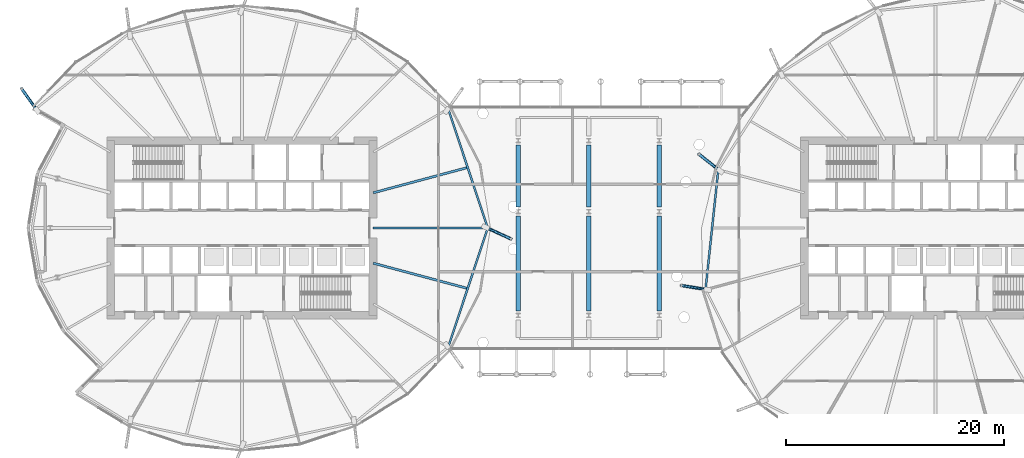
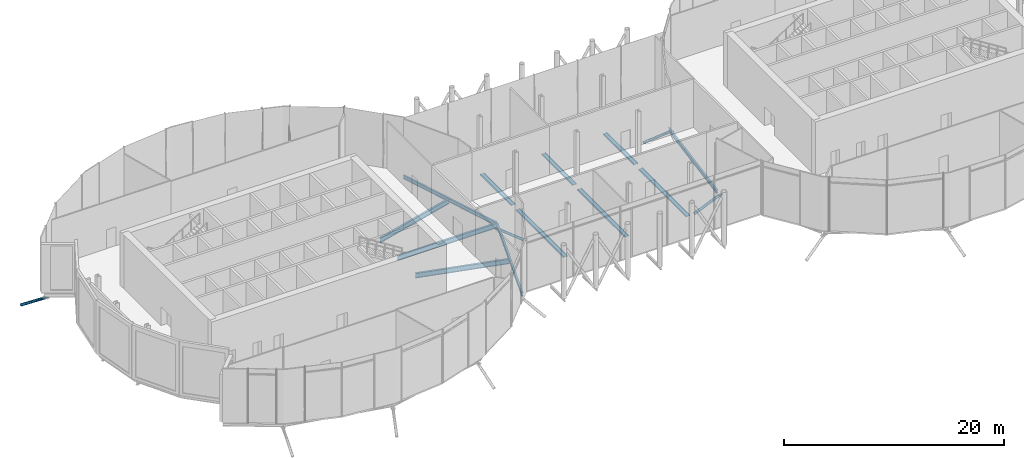
# One storey, part 6 of 38: 12 beams, 4 members.
"""IFC4 building model written with IfcOpenShell, lengths in metres."""

import ifcopenshell
import ifcopenshell.guid

model = None  # the IFC model being written
_history = None  # IfcOwnerHistory: only IFC2X3 demands one
_inside = {}  # id of a spatial element -> (the spatial element, [elements in it])
_under = {}  # id of a project, library or spatial element -> (it, [spatial elements below it])
_declared = {}  # id of a project -> (the project, [libraries it declares])
_typed = {}  # id of a type object -> (the type object, [elements of that type])
_made_of = {}  # id of a material, layer set ... -> (it, [elements and type objects made of it])


def new_model(schema):
    """Start an empty IFC model of exactly this schema.

    Asked for "IFC4X3", IfcOpenShell would pick the latest addendum, in which some entities
    have other attributes; the version numbers below select the first issue.
    IFC2X3 requires an IfcOwnerHistory on every rooted entity: one is made here for all.
    """
    global model, _history
    if schema == "IFC4X3":
        model = ifcopenshell.file(schema_version=(4, 3, 0, 0))
    else:
        model = ifcopenshell.file(schema=schema)
    _inside.clear()
    _under.clear()
    _declared.clear()
    _typed.clear()
    _made_of.clear()
    _history = None
    if model.schema == "IFC2X3":
        org = make("IfcOrganization", Name="unknown")
        user = make(
            "IfcPersonAndOrganization",
            ThePerson=make("IfcPerson", FamilyName="unknown"),
            TheOrganization=org,
        )
        app = make(
            "IfcApplication",
            ApplicationDeveloper=org,
            Version="unknown",
            ApplicationFullName="unknown",
            ApplicationIdentifier="unknown",
        )
        _history = make(
            "IfcOwnerHistory",
            OwningUser=user,
            OwningApplication=app,
            ChangeAction="ADDED",
            CreationDate=0,
        )
    return model


def make(cls, **values):
    """One entity of the class cls with the attributes given. An attribute that is None is left unset."""
    return model.create_entity(
        cls, **{name: value for name, value in values.items() if value is not None}
    )


def rooted(cls, **values):
    """An entity with a GlobalId (a new one), such as an element, a storey or a relation."""
    return make(cls, GlobalId=ifcopenshell.guid.new(), OwnerHistory=_history, **values)


def si_unit(unit_type, name, prefix=None):
    """IfcSIUnit, for example si_unit("LENGTHUNIT", "METRE", prefix="MILLI")."""
    return make("IfcSIUnit", UnitType=unit_type, Prefix=prefix, Name=name)


def assignment(units):
    """IfcUnitAssignment: the units of a project."""
    return None if units is None else make("IfcUnitAssignment", Units=units)


def point(xyz):
    """IfcCartesianPoint."""
    return None if xyz is None else make("IfcCartesianPoint", Coordinates=xyz)


def direction(xyz):
    """IfcDirection."""
    return None if xyz is None else make("IfcDirection", DirectionRatios=xyz)


def frame(location, z_axis=None, x_axis=None):
    """IfcAxis2Placement3D, a coordinate frame: its origin and axes. An axis left out is left unset."""
    return make(
        "IfcAxis2Placement3D",
        Location=point(location),
        Axis=direction(z_axis),
        RefDirection=direction(x_axis),
    )


def frame_2d(location, x_axis=None):
    """IfcAxis2Placement2D, a coordinate frame in the plane: its origin and x axis."""
    return make(
        "IfcAxis2Placement2D", Location=point(location), RefDirection=direction(x_axis)
    )


def origin():
    """The frame at (0, 0, 0) with its axes left unset."""
    return frame((0.0, 0.0, 0.0))


def origin_2d():
    """The frame at (0, 0) in the plane with its x axis left unset."""
    return frame_2d((0.0, 0.0))


def place(relative_to, where):
    """IfcLocalPlacement: puts the frame where relative to a parent placement (None: the world)."""
    return make(
        "IfcLocalPlacement", PlacementRelTo=relative_to, RelativePlacement=where
    )


def context(
    kind, dimensions, precision=None, world=None, true_north=None, identifier=None
):
    """IfcGeometricRepresentationContext, for example the 3D "Model" context."""
    return make(
        "IfcGeometricRepresentationContext",
        ContextIdentifier=identifier,
        ContextType=kind,
        CoordinateSpaceDimension=dimensions,
        Precision=precision,
        WorldCoordinateSystem=world,
        TrueNorth=true_north,
    )


def subcontext(parent, identifier, kind, view, scale=None):
    """IfcGeometricRepresentationSubContext, for example "Body" below "Model"."""
    return make(
        "IfcGeometricRepresentationSubContext",
        ContextIdentifier=identifier,
        ContextType=kind,
        ParentContext=parent,
        TargetScale=scale,
        TargetView=view,
    )


def project(units=None, contexts=None):
    """IfcProject with its units and contexts."""
    return rooted(
        "IfcProject",
        Name="project",
        RepresentationContexts=contexts,
        UnitsInContext=assignment(units),
    )


def spatial(cls, under=None, at=None, **own):
    """A site, building, storey or space (cls), placed at a placement, below another one or the project."""
    s = rooted(cls, ObjectPlacement=at, **own)
    if under is not None:
        _under.setdefault(under.id(), (under, []))[1].append(s)
    return s


def profile(cls, at=None, kind="AREA", **sizes):
    """A parametric profile (cls). Its sizes go by their IFC names, for example OverallWidth=200.0."""
    return make(cls, ProfileType=kind, Position=at, **sizes)


def hollow_circle(**sizes):
    """IfcCircleHollowProfileDef."""
    return profile("IfcCircleHollowProfileDef", **sizes)


def i_section(**sizes):
    """IfcIShapeProfileDef."""
    return profile("IfcIShapeProfileDef", **sizes)


def extrude(swept, where, along, depth):
    """IfcExtrudedAreaSolid: the profile swept, set in the frame where, extruded along a direction by depth."""
    return make(
        "IfcExtrudedAreaSolid",
        SweptArea=swept,
        Position=where,
        ExtrudedDirection=direction(along),
        Depth=depth,
    )


def clip(a, b, op="DIFFERENCE"):
    """IfcBooleanClippingResult: the solid a cut by the half space b."""
    return make(
        "IfcBooleanClippingResult", Operator=op, FirstOperand=a, SecondOperand=b
    )


def halfspace(plane, agree):
    """IfcHalfSpaceSolid: all space on one side of the plane z = 0 of the frame plane."""
    return make(
        "IfcHalfSpaceSolid",
        BaseSurface=make("IfcPlane", Position=plane),
        AgreementFlag=agree,
    )


def shape(context_of_items, identifier, shape_type, items):
    """IfcShapeRepresentation: the items that make up one representation, for example the "Body"."""
    return make(
        "IfcShapeRepresentation",
        ContextOfItems=context_of_items,
        RepresentationIdentifier=identifier,
        RepresentationType=shape_type,
        Items=items,
    )


def material(Name=None, Category=None):
    """IfcMaterial."""
    return make("IfcMaterial", Name=Name, Category=Category)


def material_profile(
    of_material, cross_section, Name=None, Category=None, Priority=None
):
    """IfcMaterialProfile: a cross section and its material."""
    return make(
        "IfcMaterialProfile",
        Name=Name,
        Material=of_material,
        Profile=cross_section,
        Priority=Priority,
        Category=Category,
    )


def profile_set(profiles, Name=None, composite=None):
    """IfcMaterialProfileSet."""
    return make(
        "IfcMaterialProfileSet",
        Name=Name,
        MaterialProfiles=profiles,
        CompositeProfile=composite,
    )


def made_of(thing, what):
    """Note that an element or type object is made of a material, layer set ...; save() writes the relation."""
    if what is not None:
        _made_of.setdefault(what.id(), (what, []))[1].append(thing)
    return thing


def type_object(cls, material=None, **own):
    """A type object (cls), such as IfcWallType, which elements share."""
    return made_of(rooted(cls, **own), material)


def element(
    cls,
    number,
    at=None,
    inside=None,
    cuts=None,
    type_object=None,
    material=None,
    context=None,
    identifier="Body",
    shape_type=None,
    held_by="IfcProductDefinitionShape",
    body=None,
    shapes=None,
    **own,
):
    """One element of the class cls, such as IfcWall. Its Tag is "e" and its number.

    at: its placement. inside: the storey or other place that contains it. cuts: it is an
    opening in that element (IfcRelVoidsElement). A single representation is given by context,
    identifier, shape_type and body (its items); several are given by shapes. held_by: the class
    of the entity that holds the representations. save() writes the other relations.
    """
    e = rooted(cls, Tag="e%d" % number, ObjectPlacement=at, **own)
    if body is not None:
        shapes = [shape(context, identifier, shape_type, body)]
    if shapes is not None:
        e.Representation = make(held_by, Representations=shapes)
    if inside is not None:
        _inside.setdefault(inside.id(), (inside, []))[1].append(e)
    if cuts is not None:
        rooted(
            "IfcRelVoidsElement", RelatingBuildingElement=cuts, RelatedOpeningElement=e
        )
    if type_object is not None:
        _typed.setdefault(type_object.id(), (type_object, []))[1].append(e)
    return made_of(e, material)


def aggregate(whole, parts):
    """IfcRelAggregates: a whole, such as a stair, and the parts it consists of."""
    return rooted("IfcRelAggregates", RelatingObject=whole, RelatedObjects=parts)


def save(model, path):
    """Write the relations noted so far, then the file.

    IfcRelAggregates (storeys below a building ...), IfcRelContainedInSpatialStructure (elements
    in a storey), IfcRelDefinesByType, IfcRelAssociatesMaterial and IfcRelDeclares: one each for
    every whole, place, type object, material and project.
    """
    for whole, parts in _under.values():
        aggregate(whole, parts)
    for where, things in _inside.values():
        rooted(
            "IfcRelContainedInSpatialStructure",
            RelatedElements=things,
            RelatingStructure=where,
        )
    for kind, things in _typed.values():
        rooted("IfcRelDefinesByType", RelatedObjects=things, RelatingType=kind)
    for what, things in _made_of.values():
        rooted("IfcRelAssociatesMaterial", RelatedObjects=things, RelatingMaterial=what)
    for by, libraries in _declared.values():
        rooted("IfcRelDeclares", RelatingContext=by, RelatedDefinitions=libraries)
    model.write(path)


model = new_model("IFC4")

# Units and contexts
model_context = context("Model", 3, precision=1e-05, world=origin(), true_north=direction((0.0, 1.0)))
body_context = subcontext(model_context, "Body", "Model", "MODEL_VIEW")
ifc_project = project(units=[si_unit("LENGTHUNIT", "METRE"), si_unit("AREAUNIT", "SQUARE_METRE"), si_unit("VOLUMEUNIT", "CUBIC_METRE"), si_unit("PLANEANGLEUNIT", "RADIAN"), si_unit("MASSUNIT", "GRAM", prefix="KILO")], contexts=[model_context])

# Site, building, storey
site_placement = place(None, origin())
site = spatial("IfcSite", under=ifc_project, at=site_placement, CompositionType="ELEMENT")
building_placement = place(site_placement, origin())
building = spatial("IfcBuilding", under=site, at=building_placement, Name="Rimbun Link Towers", CompositionType="ELEMENT")
storey_placement = place(building_placement, frame((0.0, 0.0, 133.199951171875)))
storey = spatial("IfcBuildingStorey", under=building, at=storey_placement, Name="L32", CompositionType="ELEMENT", Elevation=133.199951171875)

# Members
ifc_material_1 = material(Name="Steel S355J2H", Category="steel")
ifc_material_profile_1 = material_profile(ifc_material_1, hollow_circle(Radius=0.136474609375, WallThickness=0.012451171875, at=origin_2d()), Name="CHS 273x12.5")
ifc_profile_set_1 = profile_set([ifc_material_profile_1], Name="Steel S355J2H")
member_type = type_object("IfcMemberType", Name="Floor edge link CHS 273x12.5", PredefinedType="BRACE", material=ifc_profile_set_1)
member_1_placement = place(storey_placement, frame((-9.2998046875, 0.0, -0.8310546875), z_axis=(0.786792272753, -0.360887641194, -0.500717515141), x_axis=(0.416916773862, 0.908944664802, 0.0)))
element("IfcMember", 1, at=member_1_placement, inside=storey, type_object=member_type, Name="Floor edge link T1 L32 00", PredefinedType="BRACE", context=body_context, shape_type="Clipping", body=[
    clip(extrude(hollow_circle(Radius=0.136474609375, WallThickness=0.012451171875, at=origin_2d()), frame((0.0, 0.0, -0.491943359375)), (0.0, 0.0, 1.0), 3.30810546875), halfspace(frame((0.0, 0.0, -0.231689453125), z_axis=(0.0, 0.86561074972, -0.500717515141)), False)),
])
member_2_placement = place(storey_placement, frame((-50.590576171875, 10.877685546875, -0.7021484375), z_axis=(-0.490937524555, 0.693295918192, -0.527561481537), x_axis=(-0.816106138335, -0.577902042713, 0.0)))
element("IfcMember", 2, at=member_2_placement, inside=storey, type_object=member_type, Name="Floor edge link T1 L32 10", PredefinedType="BRACE", context=body_context, shape_type="Clipping", body=[
    clip(extrude(hollow_circle(Radius=0.136474609375, WallThickness=0.012451171875, at=origin_2d()), frame((0.0, 0.0, -0.45849609375)), (0.0, 0.0, 1.0), 3.22509765625), halfspace(frame((0.0, 0.0, -0.2158203125), z_axis=(0.0, 0.849516852804, -0.527561481537)), False)),
])
member_3_placement = place(storey_placement, frame((11.904296875, 5.317626953125, -0.749755859375), z_axis=(-0.670135294225, 0.529630172612, -0.520010161145), x_axis=(-0.620059621876, -0.784554692369, 0.0)))
element("IfcMember", 3, at=member_3_placement, inside=storey, type_object=member_type, Name="Floor edge link T2 L32 08", PredefinedType="BRACE", context=body_context, shape_type="Clipping", body=[
    clip(extrude(hollow_circle(Radius=0.136474609375, WallThickness=0.012451171875, at=origin_2d()), frame((0.0, 0.0, -0.467529296875)), (0.0, 0.0, 1.0), 3.23388671875), halfspace(frame((0.0, 0.0, -0.219970703125), z_axis=(0.0, 0.85416007417, -0.520010161145)), False)),
])
member_4_placement = place(storey_placement, frame((10.736083984375, -5.630615234375, -0.829833984375), z_axis=(-0.847055064071, 0.138170836584, -0.51323146664), x_axis=(-0.160991318552, -0.986955822391, 0.0)))
element("IfcMember", 4, at=member_4_placement, inside=storey, type_object=member_type, Name="Floor edge link T2 L32 10", PredefinedType="BRACE", context=body_context, shape_type="Clipping", body=[
    clip(extrude(hollow_circle(Radius=0.136474609375, WallThickness=0.012451171875, at=origin_2d()), frame((0.0, 0.0, -0.47607421875)), (0.0, 0.0, 1.0), 3.21142578125), halfspace(frame((0.0, 0.0, -0.2236328125), z_axis=(0.0, 0.858250232538, -0.51323146664)), False)),
])

# Beams
ifc_material_2 = material(Name="Steel S355J2", Category="steel")
ifc_material_profile_2 = material_profile(ifc_material_2, i_section(OverallWidth=0.177978515625, OverallDepth=0.406494140625, WebThickness=0.0078125, FlangeThickness=0.0126953125, at=origin_2d()), Name="UKB 406x178x60")
ifc_profile_set_2 = profile_set([ifc_material_profile_2], Name="Steel S355J2")
beam_type_1 = type_object("IfcBeamType", Name="Link floor beam UKB 406x178x60", PredefinedType="BEAM", material=ifc_profile_set_2)
beam_1_placement = place(storey_placement, frame((-6.449951171875, -7.60009765625, -0.363037109375), z_axis=(0.0, 1.0, 0.0), x_axis=(0.0, 0.0, 1.0)))
element("IfcBeam", 5, at=beam_1_placement, inside=storey, type_object=beam_type_1, Name="Link floor beam L32 01", PredefinedType="BEAM", context=body_context, shape_type="SweptSolid", body=[
    extrude(i_section(OverallWidth=0.177978515625, OverallDepth=0.406494140625, WebThickness=0.0078125, FlangeThickness=0.0126953125, at=origin_2d()), origin(), (0.0, 0.0, 1.0), 8.7001953125),
])
beam_2_placement = place(storey_placement, frame((-6.449951171875, 1.89990234375, -0.363037109375), z_axis=(0.0, 1.0, 0.0), x_axis=(0.0, 0.0, 1.0)))
element("IfcBeam", 6, at=beam_2_placement, inside=storey, type_object=beam_type_1, Name="Link floor beam L32 02", PredefinedType="BEAM", context=body_context, shape_type="SweptSolid", body=[
    extrude(i_section(OverallWidth=0.177978515625, OverallDepth=0.406494140625, WebThickness=0.0078125, FlangeThickness=0.0126953125, at=origin_2d()), origin(), (0.0, 0.0, 1.0), 5.7001953125),
])
beam_3_placement = place(storey_placement, frame((0.0, -7.60009765625, -0.363037109375), z_axis=(0.0, 1.0, 0.0), x_axis=(0.0, 0.0, 1.0)))
element("IfcBeam", 7, at=beam_3_placement, inside=storey, type_object=beam_type_1, Name="Link floor beam L32 05", PredefinedType="BEAM", context=body_context, shape_type="SweptSolid", body=[
    extrude(i_section(OverallWidth=0.177978515625, OverallDepth=0.406494140625, WebThickness=0.0078125, FlangeThickness=0.0126953125, at=origin_2d()), origin(), (0.0, 0.0, 1.0), 8.7001953125),
])
beam_4_placement = place(storey_placement, frame((0.0, 1.89990234375, -0.363037109375), z_axis=(0.0, 1.0, 0.0), x_axis=(0.0, 0.0, 1.0)))
element("IfcBeam", 8, at=beam_4_placement, inside=storey, type_object=beam_type_1, Name="Link floor beam L32 06", PredefinedType="BEAM", context=body_context, shape_type="SweptSolid", body=[
    extrude(i_section(OverallWidth=0.177978515625, OverallDepth=0.406494140625, WebThickness=0.0078125, FlangeThickness=0.0126953125, at=origin_2d()), origin(), (0.0, 0.0, 1.0), 5.7001953125),
])
beam_5_placement = place(storey_placement, frame((6.449951171875, -7.60009765625, -0.363037109375), z_axis=(0.0, 1.0, 0.0), x_axis=(0.0, 0.0, 1.0)))
element("IfcBeam", 9, at=beam_5_placement, inside=storey, type_object=beam_type_1, Name="Link floor beam L32 09", PredefinedType="BEAM", context=body_context, shape_type="SweptSolid", body=[
    extrude(i_section(OverallWidth=0.177978515625, OverallDepth=0.406494140625, WebThickness=0.0078125, FlangeThickness=0.0126953125, at=origin_2d()), origin(), (0.0, 0.0, 1.0), 8.7001953125),
])
beam_6_placement = place(storey_placement, frame((6.449951171875, 1.89990234375, -0.363037109375), z_axis=(0.0, 1.0, 0.0), x_axis=(0.0, 0.0, 1.0)))
element("IfcBeam", 10, at=beam_6_placement, inside=storey, type_object=beam_type_1, Name="Link floor beam L32 10", PredefinedType="BEAM", context=body_context, shape_type="SweptSolid", body=[
    extrude(i_section(OverallWidth=0.177978515625, OverallDepth=0.406494140625, WebThickness=0.0078125, FlangeThickness=0.0126953125, at=origin_2d()), origin(), (0.0, 0.0, 1.0), 5.7001953125),
])
ifc_material_3 = material(Name="Steel S355J2", Category="steel")
ifc_material_profile_3 = material_profile(ifc_material_3, i_section(OverallWidth=0.177978515625, OverallDepth=0.406494140625, WebThickness=0.0078125, FlangeThickness=0.0126953125, at=origin_2d()), Name="UB 406x178x60")
ifc_profile_set_3 = profile_set([ifc_material_profile_3], Name="Steel S355J2")
beam_type_2 = type_object("IfcBeamType", Name="UB 406x178x60", PredefinedType="BEAM", material=ifc_profile_set_3)
for number, where, z_axis, x_axis, name in (
    (11, (-9.284912109375, 0.105712890625, -0.383056640625), (-0.314818846529, 0.949151775993, 0.0), (-0.949151775993, -0.314818846529, 0.0), "Edge beam T1 L32 00-02"),
    (12, (-12.837158203125, -10.8154296875, -0.383056640625), (0.314818846529, 0.949151775993, 0.0), (-0.949151775993, 0.314818846529, 0.0), "Edge beam T1 L32 22-00"),
):
    element("IfcBeam", number, at=place(storey_placement, frame(where, z_axis=z_axis, x_axis=x_axis)), inside=storey, type_object=beam_type_2, Name=name, PredefinedType="BEAM", context=body_context, shape_type="SweptSolid", body=[
        extrude(i_section(OverallWidth=0.177978515625, OverallDepth=0.406494140625, WebThickness=0.0078125, FlangeThickness=0.0126953125, at=origin_2d()), origin(), (0.0, 0.0, 1.0), 11.283447265625),
    ])
beam_7_placement = place(storey_placement, frame((11.845703125, 5.23388671875, -0.383056640625), z_axis=(-0.105858646413, -0.994381187965, 0.0), x_axis=(0.994381187965, -0.105858646413, 0.0)))
element("IfcBeam", 13, at=beam_7_placement, inside=storey, type_object=beam_type_2, Name="Edge beam T2 L32 08-10", PredefinedType="BEAM", context=body_context, shape_type="SweptSolid", body=[
    extrude(i_section(OverallWidth=0.177978515625, OverallDepth=0.406494140625, WebThickness=0.0078125, FlangeThickness=0.0126953125, at=origin_2d()), origin(), (0.0, 0.0, 1.0), 10.82568359375),
])
ifc_material_4 = material(Name="Steel S355J2", Category="steel")
ifc_material_profile_4 = material_profile(ifc_material_4, i_section(OverallWidth=0.209228515625, OverallDepth=0.533203125, WebThickness=0.010009765625, FlangeThickness=0.015625, at=origin_2d()), Name="UB 533x210x92")
ifc_profile_set_4 = profile_set([ifc_material_profile_4], Name="Steel S355J2")
beam_type_3 = type_object("IfcBeamType", Name="UB 533x210x92", PredefinedType="BEAM", material=ifc_profile_set_4)
beam_8_placement = place(storey_placement, frame((-19.7490234375, 0.0, -0.446533203125), z_axis=(1.0, 0.0, 0.0), x_axis=(0.0, 1.0, 0.0)))
element("IfcBeam", 14, at=beam_8_placement, inside=storey, type_object=beam_type_3, Name="Radial beam T1 L32 00", PredefinedType="BEAM", context=body_context, shape_type="SweptSolid", body=[
    extrude(i_section(OverallWidth=0.209228515625, OverallDepth=0.533203125, WebThickness=0.010009765625, FlangeThickness=0.015625, at=origin_2d()), origin(), (0.0, 0.0, 1.0), 10.4990234375),
])
for number, where, z_axis, x_axis, name in (
    (15, (-19.721923828125, 3.222900390625, -0.446533203125), (0.965927488146, 0.25881284289, 0.0), (-0.25881284289, 0.965927488146, 0.0), "Radial beam T1 L32 01"),
    (16, (-19.721923828125, -3.222900390625, -0.446533203125), (0.965927488146, -0.25881284289, 0.0), (0.25881284289, 0.965927488146, 0.0), "Radial beam T1 L32 23"),
):
    element("IfcBeam", number, at=place(storey_placement, frame(where, z_axis=z_axis, x_axis=x_axis)), inside=storey, type_object=beam_type_3, Name=name, PredefinedType="BEAM", context=body_context, shape_type="SweptSolid", body=[
        extrude(i_section(OverallWidth=0.209228515625, OverallDepth=0.533203125, WebThickness=0.010009765625, FlangeThickness=0.015625, at=origin_2d()), origin(), (0.0, 0.0, 1.0), 8.85009765625),
    ])

save(model, "model.ifc")
